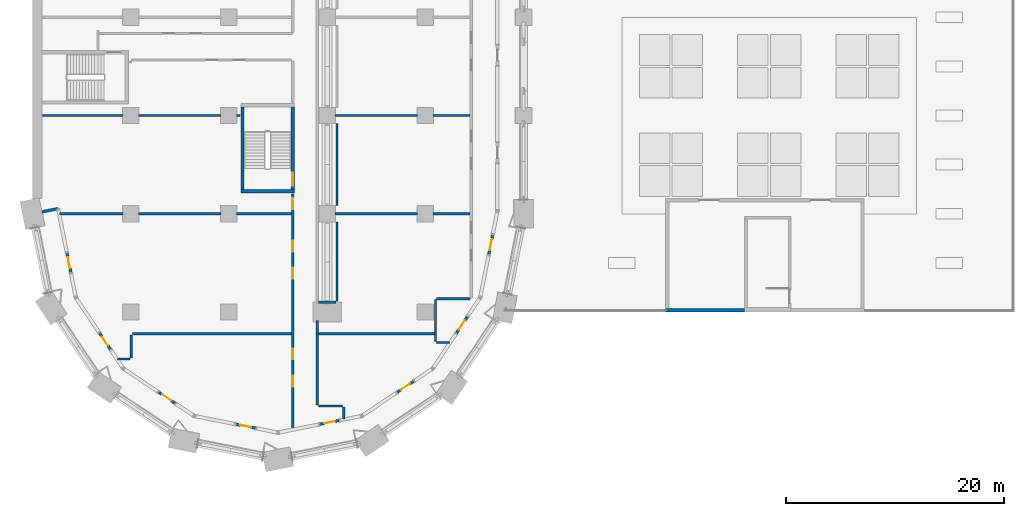
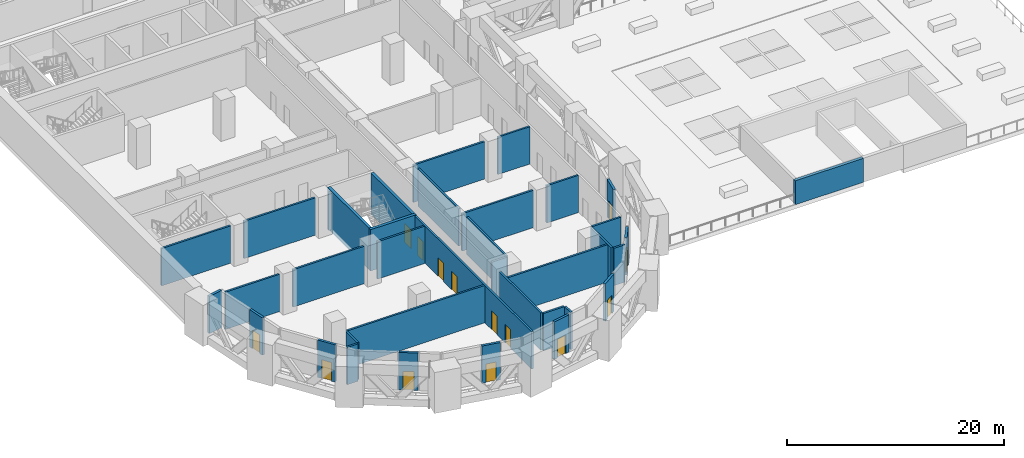
# One storey, part 10 of 31: 37 walls, 14 doors, 14 openings.
"""IFC4 building model written with IfcOpenShell, lengths in metres."""

from ifc_helpers import new_model, si_unit, direction, frame, frame_2d, origin, place, context, subcontext, project, spatial, rectangle, extrude, material, layer, layer_set, type_object, element, fill, save


model = new_model("IFC4")

# Units and contexts
model_context = context("Model", 3, precision=1e-05, world=origin(), true_north=direction((0.0, 1.0)))
body_context = subcontext(model_context, "Body", "Model", "MODEL_VIEW")
ifc_project = project(units=[si_unit("LENGTHUNIT", "METRE"), si_unit("AREAUNIT", "SQUARE_METRE"), si_unit("VOLUMEUNIT", "CUBIC_METRE"), si_unit("PLANEANGLEUNIT", "RADIAN"), si_unit("MASSUNIT", "GRAM", prefix="KILO")], contexts=[model_context])

# Site, building, storey
site_placement = place(None, origin())
site = spatial("IfcSite", under=ifc_project, at=site_placement, CompositionType="ELEMENT")
building_placement = place(site_placement, origin())
building = spatial("IfcBuilding", under=site, at=building_placement, Name="Hunhe Ridgeline Campus", CompositionType="ELEMENT")
storey_placement = place(building_placement, frame((0.0, 0.0, 31.199951171875)))
storey = spatial("IfcBuildingStorey", under=building, at=storey_placement, Name="L06", CompositionType="ELEMENT", Elevation=31.199951171875)

# Walls
ifc_material_1 = material(Name="Concrete C30", Category="concrete")
ifc_layer_1 = layer(ifc_material_1, 0.25)
ifc_layer_set_1 = layer_set([ifc_layer_1], Name="Corner return wall 250 Concrete C30")
wall_type_1 = type_object("IfcWallType", Name="Corner return wall 250 Concrete C30", PredefinedType="SOLIDWALL", material=ifc_layer_set_1)
wall_1_placement = place(storey_placement, frame((0.882568359375, 27.17626953125, 0.0), z_axis=(0.0, 0.0, 1.0), x_axis=(0.980830121099, 0.194864757061, 0.0)))
element("IfcWall", 1, at=wall_1_placement, inside=storey, type_object=wall_type_1, Name="Corner return wall 1", PredefinedType="SOLIDWALL", context=body_context, shape_type="SweptSolid", body=[
    extrude(rectangle(XDim=1.5009765625, YDim=0.25, at=frame_2d((0.75048828125, 0.0))), origin(), (0.0, 0.0, 1.0), 4.199951171875),
])
ifc_material_2 = material(Name="Gypsum board partition")
ifc_layer_2 = layer(ifc_material_2, 0.199951171875)
ifc_layer_set_2 = layer_set([ifc_layer_2], Name="Corridor partition 200 gypsum board on steel studs")
wall_type_2 = type_object("IfcWallType", Name="Corridor partition 200 gypsum board on steel studs", PredefinedType="PARTITIONING", material=ifc_layer_set_2)
wall_2_placement = place(storey_placement, frame((26.199951171875, 9.386962890625, 0.0), z_axis=(0.0, 0.0, 1.0), x_axis=(1.0, 0.0, 0.0)))
element("IfcWall", 2, at=wall_2_placement, inside=storey, type_object=wall_type_2, Name="F-L06-wall-001", PredefinedType="PARTITIONING", context=body_context, shape_type="SweptSolid", body=[
    extrude(rectangle(XDim=2.219970703125, YDim=0.199951171875, at=frame_2d((1.10986328125, 0.0))), origin(), (0.0, 0.0, 1.0), 4.199951171875),
])
for number, where, z_axis, x_axis, name in (
    (3, (7.796875, 13.702880859375, 0.0), (0.0, 0.0, 1.0), (1.0, 0.0, 0.0), "F-L06-wall-002"),
    (4, (38.203125, 15.199951171875, 0.0), (0.0, 0.0, 1.0), (-1.0, 0.0, 0.0), "F-L06-wall-003"),
):
    element("IfcWall", number, at=place(storey_placement, frame(where, z_axis=z_axis, x_axis=x_axis)), inside=storey, type_object=wall_type_2, Name=name, PredefinedType="PARTITIONING", context=body_context, shape_type="SweptSolid", body=[
        extrude(rectangle(XDim=1.1650390625, YDim=0.199951171875, at=frame_2d((0.58251953125, 0.0))), origin(), (0.0, 0.0, 1.0), 4.199951171875),
    ])
wall_3_placement = place(storey_placement, frame((9.162109375, 15.9990234375, 0.0), z_axis=(0.0, 0.0, 1.0), x_axis=(1.0, 0.0, 0.0)))
element("IfcWall", 5, at=wall_3_placement, inside=storey, type_object=wall_type_2, Name="F-L06-wall-004", PredefinedType="PARTITIONING", context=body_context, shape_type="SweptSolid", body=[
    extrude(rectangle(XDim=14.587890625, YDim=0.199951171875, at=frame_2d((7.2939453125, 0.0))), origin(), (0.0, 0.0, 1.0), 4.199951171875),
])
wall_4_placement = place(storey_placement, frame((26.199951171875, 15.9990234375, 0.0), z_axis=(0.0, 0.0, 1.0), x_axis=(1.0, 0.0, 0.0)))
element("IfcWall", 6, at=wall_4_placement, inside=storey, type_object=wall_type_2, Name="F-L06-wall-005", PredefinedType="PARTITIONING", context=body_context, shape_type="SweptSolid", body=[
    extrude(rectangle(XDim=10.637939453125, YDim=0.199951171875, at=frame_2d((5.31884765625, 0.0))), origin(), (0.0, 0.0, 1.0), 4.199951171875),
])
wall_5_placement = place(storey_placement, frame((26.199951171875, 18.89990234375, 0.0), z_axis=(0.0, 0.0, 1.0), x_axis=(1.0, 0.0, 0.0)))
element("IfcWall", 7, at=wall_5_placement, inside=storey, type_object=wall_type_2, Name="F-L06-wall-006", PredefinedType="PARTITIONING", context=body_context, shape_type="SweptSolid", body=[
    extrude(rectangle(XDim=1.60009765625, YDim=0.199951171875, at=frame_2d((0.800048828125, 0.0))), origin(), (0.0, 0.0, 1.0), 4.199951171875),
])
wall_6_placement = place(storey_placement, frame((37.0380859375, 19.221923828125, 0.0), z_axis=(0.0, 0.0, 1.0), x_axis=(1.0, 0.0, 0.0)))
element("IfcWall", 8, at=wall_6_placement, inside=storey, type_object=wall_type_2, Name="F-L06-wall-007", PredefinedType="PARTITIONING", context=body_context, shape_type="SweptSolid", body=[
    extrude(rectangle(XDim=3.06201171875, YDim=0.199951171875, at=frame_2d((1.531005859375, 0.0))), origin(), (0.0, 0.0, 1.0), 4.199951171875),
])
wall_7_placement = place(storey_placement, frame((2.5029296875, 27.0, 0.0), z_axis=(0.0, 0.0, 1.0), x_axis=(1.0, 0.0, 0.0)))
element("IfcWall", 9, at=wall_7_placement, inside=storey, type_object=wall_type_2, Name="F-L06-wall-008", PredefinedType="PARTITIONING", context=body_context, shape_type="SweptSolid", body=[
    extrude(rectangle(XDim=5.797119140625, YDim=0.199951171875, at=frame_2d((2.8984375, 0.0))), origin(), (0.0, 0.0, 1.0), 4.199951171875),
])
wall_8_placement = place(storey_placement, frame((9.699951171875, 27.0, 0.0), z_axis=(0.0, 0.0, 1.0), x_axis=(1.0, 0.0, 0.0)))
element("IfcWall", 10, at=wall_8_placement, inside=storey, type_object=wall_type_2, Name="F-L06-wall-009", PredefinedType="PARTITIONING", context=body_context, shape_type="SweptSolid", body=[
    extrude(rectangle(XDim=7.60009765625, YDim=0.199951171875, at=frame_2d((3.800048828125, 0.0))), origin(), (0.0, 0.0, 1.0), 4.199951171875),
])
wall_9_placement = place(storey_placement, frame((18.699951171875, 27.0, 0.0), z_axis=(0.0, 0.0, 1.0), x_axis=(1.0, 0.0, 0.0)))
element("IfcWall", 11, at=wall_9_placement, inside=storey, type_object=wall_type_2, Name="F-L06-wall-010", PredefinedType="PARTITIONING", context=body_context, shape_type="SweptSolid", body=[
    extrude(rectangle(XDim=5.050048828125, YDim=0.199951171875, at=frame_2d((2.52490234375, 0.0))), origin(), (0.0, 0.0, 1.0), 4.199951171875),
])
wall_10_placement = place(storey_placement, frame((27.699951171875, 27.0, 0.0), z_axis=(0.0, 0.0, 1.0), x_axis=(1.0, 0.0, 0.0)))
element("IfcWall", 12, at=wall_10_placement, inside=storey, type_object=wall_type_2, Name="F-L06-wall-011", PredefinedType="PARTITIONING", context=body_context, shape_type="SweptSolid", body=[
    extrude(rectangle(XDim=7.60009765625, YDim=0.199951171875, at=frame_2d((3.800048828125, 0.0))), origin(), (0.0, 0.0, 1.0), 4.199951171875),
])
wall_11_placement = place(storey_placement, frame((36.699951171875, 27.0, 0.0), z_axis=(0.0, 0.0, 1.0), x_axis=(1.0, 0.0, 0.0)))
element("IfcWall", 13, at=wall_11_placement, inside=storey, type_object=wall_type_2, Name="F-L06-wall-012", PredefinedType="PARTITIONING", context=body_context, shape_type="SweptSolid", body=[
    extrude(rectangle(XDim=3.400146484375, YDim=0.199951171875, at=frame_2d((1.7001953125, 0.0))), origin(), (0.0, 0.0, 1.0), 4.199951171875),
])
wall_12_placement = place(storey_placement, frame((0.924072265625, 36.0, 0.0), z_axis=(0.0, 0.0, 1.0), x_axis=(1.0, 0.0, 0.0)))
element("IfcWall", 14, at=wall_12_placement, inside=storey, type_object=wall_type_2, Name="F-L06-wall-013", PredefinedType="PARTITIONING", context=body_context, shape_type="SweptSolid", body=[
    extrude(rectangle(XDim=7.3759765625, YDim=0.199951171875, at=frame_2d((3.68798828125, 0.0))), origin(), (0.0, 0.0, 1.0), 4.199951171875),
])
wall_13_placement = place(storey_placement, frame((9.699951171875, 36.0, 0.0), z_axis=(0.0, 0.0, 1.0), x_axis=(1.0, 0.0, 0.0)))
element("IfcWall", 15, at=wall_13_placement, inside=storey, type_object=wall_type_2, Name="F-L06-wall-014", PredefinedType="PARTITIONING", context=body_context, shape_type="SweptSolid", body=[
    extrude(rectangle(XDim=7.60009765625, YDim=0.199951171875, at=frame_2d((3.800048828125, 0.0))), origin(), (0.0, 0.0, 1.0), 4.199951171875),
])
wall_14_placement = place(storey_placement, frame((18.699951171875, 36.0, 0.0), z_axis=(0.0, 0.0, 1.0), x_axis=(1.0, 0.0, 0.0)))
element("IfcWall", 16, at=wall_14_placement, inside=storey, type_object=wall_type_2, Name="F-L06-wall-015", PredefinedType="PARTITIONING", context=body_context, shape_type="SweptSolid", body=[
    extrude(rectangle(XDim=0.296142578125, YDim=0.199951171875, at=frame_2d((0.14794921875, 0.0))), origin(), (0.0, 0.0, 1.0), 4.199951171875),
])
wall_15_placement = place(storey_placement, frame((27.699951171875, 36.0, 0.0), z_axis=(0.0, 0.0, 1.0), x_axis=(1.0, 0.0, 0.0)))
element("IfcWall", 17, at=wall_15_placement, inside=storey, type_object=wall_type_2, Name="F-L06-wall-016", PredefinedType="PARTITIONING", context=body_context, shape_type="SweptSolid", body=[
    extrude(rectangle(XDim=7.60009765625, YDim=0.199951171875, at=frame_2d((3.800048828125, 0.0))), origin(), (0.0, 0.0, 1.0), 4.199951171875),
])
wall_16_placement = place(storey_placement, frame((36.699951171875, 36.0, 0.0), z_axis=(0.0, 0.0, 1.0), x_axis=(1.0, 0.0, 0.0)))
element("IfcWall", 18, at=wall_16_placement, inside=storey, type_object=wall_type_2, Name="F-L06-wall-017", PredefinedType="PARTITIONING", context=body_context, shape_type="SweptSolid", body=[
    extrude(rectangle(XDim=3.400146484375, YDim=0.199951171875, at=frame_2d((1.7001953125, 0.0))), origin(), (0.0, 0.0, 1.0), 4.199951171875),
])
wall_17_placement = place(storey_placement, frame((9.06201171875, 15.89892578125, 0.0), z_axis=(0.0, 0.0, 1.0), x_axis=(0.0, -1.0, 0.0)))
element("IfcWall", 19, at=wall_17_placement, inside=storey, type_object=wall_type_2, Name="F-L06-wall-056", PredefinedType="PARTITIONING", context=body_context, shape_type="SweptSolid", body=[
    extrude(rectangle(XDim=2.095947265625, YDim=0.199951171875, at=frame_2d((1.0478515625, 0.0))), origin(), (0.0, 0.0, 1.0), 4.199951171875),
])

# Wall, openings, doors
wall_18_placement = place(storey_placement, frame((23.85009765625, 7.271728515625, 0.0), z_axis=(0.0, 0.0, 1.0), x_axis=(0.0, 1.0, 0.0)))
wall_18 = element("IfcWall", 20, at=wall_18_placement, inside=storey, type_object=wall_type_2, Name="F-L06-wall-057", PredefinedType="PARTITIONING", context=body_context, shape_type="SweptSolid", body=[
    extrude(rectangle(XDim=21.524169921875, YDim=0.199951171875, at=frame_2d((10.76220703125, 0.0))), origin(), (0.0, 0.0, 1.0), 4.199951171875),
])
opening_1_placement = place(wall_18_placement, frame((3.8798828125, 0.0, 0.0)))
opening_1 = element("IfcOpeningElement", 21, at=opening_1_placement, cuts=wall_18, Name="Opening RD1-001", PredefinedType="OPENING", context=body_context, shape_type="SweptSolid", body=[
    extrude(rectangle(XDim=1.0, YDim=2.10009765625, at=frame_2d((0.5, 1.050048828125))), frame((0.0, 0.10009765625, 0.0), z_axis=(0.0, -1.0, 0.0), x_axis=(1.0, 0.0, 0.0)), (0.0, 0.0, 1.0), 0.199951171875),
])
opening_2_placement = place(wall_18_placement, frame((6.3798828125, 0.0, 0.0)))
opening_2 = element("IfcOpeningElement", 22, at=opening_2_placement, cuts=wall_18, Name="Opening RD1-002", PredefinedType="OPENING", context=body_context, shape_type="SweptSolid", body=[
    extrude(rectangle(XDim=1.0, YDim=2.10009765625, at=frame_2d((0.5, 1.050048828125))), frame((0.0, 0.10009765625, 0.0), z_axis=(0.0, -1.0, 0.0), x_axis=(1.0, 0.0, 0.0)), (0.0, 0.0, 1.0), 0.199951171875),
])
opening_3_placement = place(wall_18_placement, frame((13.76611328125, 0.0, 0.0)))
opening_3 = element("IfcOpeningElement", 23, at=opening_3_placement, cuts=wall_18, Name="Opening RD1-003", PredefinedType="OPENING", context=body_context, shape_type="SweptSolid", body=[
    extrude(rectangle(XDim=1.0, YDim=2.10009765625, at=frame_2d((0.5, 1.050048828125))), frame((0.0, 0.10009765625, 0.0), z_axis=(0.0, -1.0, 0.0), x_axis=(1.0, 0.0, 0.0)), (0.0, 0.0, 1.0), 0.199951171875),
])
opening_4_placement = place(wall_18_placement, frame((16.26611328125, 0.0, 0.0)))
opening_4 = element("IfcOpeningElement", 24, at=opening_4_placement, cuts=wall_18, Name="Opening RD1-005", PredefinedType="OPENING", context=body_context, shape_type="SweptSolid", body=[
    extrude(rectangle(XDim=1.0, YDim=2.10009765625, at=frame_2d((0.5, 1.050048828125))), frame((0.0, 0.10009765625, 0.0), z_axis=(0.0, -1.0, 0.0), x_axis=(1.0, 0.0, 0.0)), (0.0, 0.0, 1.0), 0.199951171875),
])
opening_5_placement = place(wall_18_placement, frame((20.1484375, 0.0, 0.0)))
opening_5 = element("IfcOpeningElement", 25, at=opening_5_placement, cuts=wall_18, Name="Opening RD1-007", PredefinedType="OPENING", context=body_context, shape_type="SweptSolid", body=[
    extrude(rectangle(XDim=1.0, YDim=2.10009765625, at=frame_2d((0.5, 1.050048828125))), frame((0.0, 0.10009765625, 0.0), z_axis=(0.0, -1.0, 0.0), x_axis=(1.0, 0.0, 0.0)), (0.0, 0.0, 1.0), 0.199951171875),
])
ifc_material_3 = material(Name="Timber door leaf", Category="wood")
door_type_1 = type_object("IfcDoorType", Name="Single fire door 1000x2100 timber FD60", OperationType="NOTDEFINED", PredefinedType="DOOR", material=ifc_material_3)
door_1_placement = place(opening_1_placement, frame((1.0, 0.0, 0.0), z_axis=(0.0, 0.0, 1.0), x_axis=(-1.0, 0.0, 0.0)))
door_1 = element("IfcDoor", 26, at=door_1_placement, inside=storey, type_object=door_type_1, Name="F-L06-door-001", OperationType="SINGLE_SWING_LEFT", OverallHeight=2.10009765625, OverallWidth=1.0, PredefinedType="DOOR", context=body_context, shape_type="SweptSolid", body=[
    extrude(rectangle(XDim=1.0, YDim=2.10009765625, at=frame_2d((0.5, 1.050048828125))), frame((0.0, 0.02490234375, 0.0), z_axis=(0.0, -1.0, 0.0), x_axis=(1.0, 0.0, 0.0)), (0.0, 0.0, 1.0), 0.050048828125),
])
fill(opening_1, door_1)
door_2_placement = place(opening_2_placement, frame((1.0, 0.0, 0.0), z_axis=(0.0, 0.0, 1.0), x_axis=(-1.0, 0.0, 0.0)))
door_2 = element("IfcDoor", 27, at=door_2_placement, inside=storey, type_object=door_type_1, Name="F-L06-door-002", OperationType="SINGLE_SWING_LEFT", OverallHeight=2.10009765625, OverallWidth=1.0, PredefinedType="DOOR", context=body_context, shape_type="SweptSolid", body=[
    extrude(rectangle(XDim=1.0, YDim=2.10009765625, at=frame_2d((0.5, 1.050048828125))), frame((0.0, 0.02490234375, 0.0), z_axis=(0.0, -1.0, 0.0), x_axis=(1.0, 0.0, 0.0)), (0.0, 0.0, 1.0), 0.050048828125),
])
fill(opening_2, door_2)
door_3_placement = place(opening_3_placement, frame((1.0, 0.0, 0.0), z_axis=(0.0, 0.0, 1.0), x_axis=(-1.0, 0.0, 0.0)))
door_3 = element("IfcDoor", 28, at=door_3_placement, inside=storey, type_object=door_type_1, Name="F-L06-door-003", OperationType="SINGLE_SWING_LEFT", OverallHeight=2.10009765625, OverallWidth=1.0, PredefinedType="DOOR", context=body_context, shape_type="SweptSolid", body=[
    extrude(rectangle(XDim=1.0, YDim=2.10009765625, at=frame_2d((0.5, 1.050048828125))), frame((0.0, 0.02490234375, 0.0), z_axis=(0.0, -1.0, 0.0), x_axis=(1.0, 0.0, 0.0)), (0.0, 0.0, 1.0), 0.050048828125),
])
fill(opening_3, door_3)
door_4_placement = place(opening_4_placement, frame((1.0, 0.0, 0.0), z_axis=(0.0, 0.0, 1.0), x_axis=(-1.0, 0.0, 0.0)))
door_4 = element("IfcDoor", 29, at=door_4_placement, inside=storey, type_object=door_type_1, Name="F-L06-door-005", OperationType="SINGLE_SWING_LEFT", OverallHeight=2.10009765625, OverallWidth=1.0, PredefinedType="DOOR", context=body_context, shape_type="SweptSolid", body=[
    extrude(rectangle(XDim=1.0, YDim=2.10009765625, at=frame_2d((0.5, 1.050048828125))), frame((0.0, 0.02490234375, 0.0), z_axis=(0.0, -1.0, 0.0), x_axis=(1.0, 0.0, 0.0)), (0.0, 0.0, 1.0), 0.050048828125),
])
fill(opening_4, door_4)
door_5_placement = place(opening_5_placement, frame((1.0, 0.0, 0.0), z_axis=(0.0, 0.0, 1.0), x_axis=(-1.0, 0.0, 0.0)))
door_5 = element("IfcDoor", 30, at=door_5_placement, inside=storey, type_object=door_type_1, Name="F-L06-door-007", OperationType="SINGLE_SWING_LEFT", OverallHeight=2.10009765625, OverallWidth=1.0, PredefinedType="DOOR", context=body_context, shape_type="SweptSolid", body=[
    extrude(rectangle(XDim=1.0, YDim=2.10009765625, at=frame_2d((0.5, 1.050048828125))), frame((0.0, 0.02490234375, 0.0), z_axis=(0.0, -1.0, 0.0), x_axis=(1.0, 0.0, 0.0)), (0.0, 0.0, 1.0), 0.050048828125),
])
fill(opening_5, door_5)

# Walls
wall_19_placement = place(storey_placement, frame((26.10009765625, 17.199951171875, 0.0), z_axis=(0.0, 0.0, 1.0), x_axis=(0.0, -1.0, 0.0)))
element("IfcWall", 31, at=wall_19_placement, inside=storey, type_object=wall_type_2, Name="F-L06-wall-060", PredefinedType="PARTITIONING", context=body_context, shape_type="SweptSolid", body=[
    extrude(rectangle(XDim=7.712890625, YDim=0.199951171875, at=frame_2d((3.8564453125, 0.0))), origin(), (0.0, 0.0, 1.0), 4.199951171875),
])
wall_20_placement = place(storey_placement, frame((27.89990234375, 26.25, 0.0), z_axis=(0.0, 0.0, 1.0), x_axis=(0.0, -1.0, 0.0)))
element("IfcWall", 32, at=wall_20_placement, inside=storey, type_object=wall_type_2, Name="F-L06-wall-062", PredefinedType="PARTITIONING", context=body_context, shape_type="SweptSolid", body=[
    extrude(rectangle(XDim=7.25, YDim=0.199951171875, at=frame_2d((3.625, 0.0))), origin(), (0.0, 0.0, 1.0), 4.199951171875),
])
wall_21_placement = place(storey_placement, frame((27.89990234375, 35.25, 0.0), z_axis=(0.0, 0.0, 1.0), x_axis=(0.0, -1.0, 0.0)))
element("IfcWall", 33, at=wall_21_placement, inside=storey, type_object=wall_type_2, Name="F-L06-wall-063", PredefinedType="PARTITIONING", context=body_context, shape_type="SweptSolid", body=[
    extrude(rectangle(XDim=7.5, YDim=0.199951171875, at=frame_2d((3.75, 0.0))), origin(), (0.0, 0.0, 1.0), 4.199951171875),
])
wall_22_placement = place(storey_placement, frame((28.52001953125, 9.287109375, 0.0), z_axis=(0.0, 0.0, 1.0), x_axis=(0.0, -1.0, 0.0)))
element("IfcWall", 34, at=wall_22_placement, inside=storey, type_object=wall_type_2, Name="F-L06-wall-067", PredefinedType="PARTITIONING", context=body_context, shape_type="SweptSolid", body=[
    extrude(rectangle(XDim=1.086669921875, YDim=0.199951171875, at=frame_2d((0.54345703125, 0.0))), origin(), (0.0, 0.0, 1.0), 4.199951171875),
])
wall_23_placement = place(storey_placement, frame((36.93798828125, 15.300048828125, 0.0), z_axis=(0.0, 0.0, 1.0), x_axis=(0.0, 1.0, 0.0)))
element("IfcWall", 35, at=wall_23_placement, inside=storey, type_object=wall_type_2, Name="F-L06-wall-068", PredefinedType="PARTITIONING", context=body_context, shape_type="SweptSolid", body=[
    extrude(rectangle(XDim=3.822021484375, YDim=0.199951171875, at=frame_2d((1.9111328125, 0.0))), origin(), (0.0, 0.0, 1.0), 4.199951171875),
])

# Wall, opening, door
ifc_layer_3 = layer(ifc_material_1, 0.25)
ifc_layer_set_3 = layer_set([ifc_layer_3], Name="Loggia door pier wall 250 Concrete C30")
wall_type_3 = type_object("IfcWallType", Name="Loggia door pier wall 250 Concrete C30", PredefinedType="SOLIDWALL", material=ifc_layer_set_3)
wall_24_placement = place(storey_placement, frame((3.16455078125, 23.3974609375, 0.0), z_axis=(0.0, 0.0, 1.0), x_axis=(0.19517704197, -0.980768026746, 0.0)))
wall_24 = element("IfcWall", 36, at=wall_24_placement, inside=storey, type_object=wall_type_3, Name="Loggia door pier 1", PredefinedType="SOLIDWALL", context=body_context, shape_type="SweptSolid", body=[
    extrude(rectangle(XDim=1.800048828125, YDim=0.25, at=frame_2d((0.89990234375, 0.0))), origin(), (0.0, 0.0, 1.0), 4.199951171875),
])
opening_6_placement = place(wall_24_placement, frame((0.39990234375, 0.0, 0.0)))
opening_6 = element("IfcOpeningElement", 37, at=opening_6_placement, cuts=wall_24, Name="Opening BR101", PredefinedType="OPENING", context=body_context, shape_type="SweptSolid", body=[
    extrude(rectangle(XDim=1.0, YDim=2.10009765625, at=frame_2d((0.5, 1.050048828125))), frame((0.0, 0.125, 0.0), z_axis=(0.0, -1.0, 0.0), x_axis=(1.0, 0.0, 0.0)), (0.0, 0.0, 1.0), 0.25),
])
ifc_material_4 = material(Name="Aluminium 6063", Category="aluminium")
door_type_2 = type_object("IfcDoorType", Name="Loggia glazed door 1000x2100", OperationType="NOTDEFINED", PredefinedType="DOOR", material=ifc_material_4)
door_6_placement = place(opening_6_placement, frame((1.0, 0.0, 0.0), z_axis=(0.0, 0.0, 1.0), x_axis=(-1.0, 0.0, 0.0)))
door_6 = element("IfcDoor", 38, at=door_6_placement, inside=storey, type_object=door_type_2, Name="Loggia door BR101", OperationType="SINGLE_SWING_RIGHT", OverallHeight=2.10009765625, OverallWidth=1.0, PredefinedType="DOOR", context=body_context, shape_type="SweptSolid", body=[
    extrude(rectangle(XDim=1.0, YDim=2.10009765625, at=frame_2d((0.5, 1.050048828125))), frame((0.0, 0.02490234375, 0.0), z_axis=(0.0, -1.0, 0.0), x_axis=(1.0, 0.0, 0.0)), (0.0, 0.0, 1.0), 0.050048828125),
])
fill(opening_6, door_6)

wall_25_placement = place(storey_placement, frame((6.147705078125, 16.07373046875, 0.0), z_axis=(0.0, 0.0, 1.0), x_axis=(0.555576323502, -0.83146554274, 0.0)))
wall_25 = element("IfcWall", 39, at=wall_25_placement, inside=storey, type_object=wall_type_3, Name="Loggia door pier 2", PredefinedType="SOLIDWALL", context=body_context, shape_type="SweptSolid", body=[
    extrude(rectangle(XDim=1.800048828125, YDim=0.25, at=frame_2d((0.89990234375, 0.0))), origin(), (0.0, 0.0, 1.0), 4.199951171875),
])
opening_7_placement = place(wall_25_placement, frame((0.39990234375, 0.0, 0.0)))
opening_7 = element("IfcOpeningElement", 40, at=opening_7_placement, cuts=wall_25, Name="Opening BR102", PredefinedType="OPENING", context=body_context, shape_type="SweptSolid", body=[
    extrude(rectangle(XDim=1.0, YDim=2.10009765625, at=frame_2d((0.5, 1.050048828125))), frame((0.0, 0.125, 0.0), z_axis=(0.0, -1.0, 0.0), x_axis=(1.0, 0.0, 0.0)), (0.0, 0.0, 1.0), 0.25),
])
door_7_placement = place(opening_7_placement, frame((1.0, 0.0, 0.0), z_axis=(0.0, 0.0, 1.0), x_axis=(-1.0, 0.0, 0.0)))
door_7 = element("IfcDoor", 41, at=door_7_placement, inside=storey, type_object=door_type_2, Name="Loggia door BR102", OperationType="SINGLE_SWING_LEFT", OverallHeight=2.10009765625, OverallWidth=1.0, PredefinedType="DOOR", context=body_context, shape_type="SweptSolid", body=[
    extrude(rectangle(XDim=1.0, YDim=2.10009765625, at=frame_2d((0.5, 1.050048828125))), frame((0.0, 0.02490234375, 0.0), z_axis=(0.0, -1.0, 0.0), x_axis=(1.0, 0.0, 0.0)), (0.0, 0.0, 1.0), 0.050048828125),
])
fill(opening_7, door_7)

wall_26_placement = place(storey_placement, frame((11.57373046875, 10.647705078125, 0.0), z_axis=(0.0, 0.0, 1.0), x_axis=(0.83146554274, -0.555576323502, 0.0)))
wall_26 = element("IfcWall", 42, at=wall_26_placement, inside=storey, type_object=wall_type_3, Name="Loggia door pier 3", PredefinedType="SOLIDWALL", context=body_context, shape_type="SweptSolid", body=[
    extrude(rectangle(XDim=1.800048828125, YDim=0.25, at=frame_2d((0.89990234375, 0.0))), origin(), (0.0, 0.0, 1.0), 4.199951171875),
])
opening_8_placement = place(wall_26_placement, frame((0.39990234375, 0.0, 0.0)))
opening_8 = element("IfcOpeningElement", 43, at=opening_8_placement, cuts=wall_26, Name="Opening BR103", PredefinedType="OPENING", context=body_context, shape_type="SweptSolid", body=[
    extrude(rectangle(XDim=1.0, YDim=2.10009765625, at=frame_2d((0.5, 1.050048828125))), frame((0.0, 0.125, 0.0), z_axis=(0.0, -1.0, 0.0), x_axis=(1.0, 0.0, 0.0)), (0.0, 0.0, 1.0), 0.25),
])
door_8_placement = place(opening_8_placement, frame((1.0, 0.0, 0.0), z_axis=(0.0, 0.0, 1.0), x_axis=(-1.0, 0.0, 0.0)))
door_8 = element("IfcDoor", 44, at=door_8_placement, inside=storey, type_object=door_type_2, Name="Loggia door BR103", OperationType="SINGLE_SWING_RIGHT", OverallHeight=2.10009765625, OverallWidth=1.0, PredefinedType="DOOR", context=body_context, shape_type="SweptSolid", body=[
    extrude(rectangle(XDim=1.0, YDim=2.10009765625, at=frame_2d((0.5, 1.050048828125))), frame((0.0, 0.02490234375, 0.0), z_axis=(0.0, -1.0, 0.0), x_axis=(1.0, 0.0, 0.0)), (0.0, 0.0, 1.0), 0.050048828125),
])
fill(opening_8, door_8)

wall_27_placement = place(storey_placement, frame((18.663330078125, 7.711181640625, 0.0), z_axis=(0.0, 0.0, 1.0), x_axis=(0.980793982239, -0.195046569833, 0.0)))
wall_27 = element("IfcWall", 45, at=wall_27_placement, inside=storey, type_object=wall_type_3, Name="Loggia door pier 4", PredefinedType="SOLIDWALL", context=body_context, shape_type="SweptSolid", body=[
    extrude(rectangle(XDim=1.800048828125, YDim=0.25, at=frame_2d((0.89990234375, 0.0))), origin(), (0.0, 0.0, 1.0), 4.199951171875),
])
opening_9_placement = place(wall_27_placement, frame((0.39990234375, 0.0, 0.0)))
opening_9 = element("IfcOpeningElement", 46, at=opening_9_placement, cuts=wall_27, Name="Opening BR104", PredefinedType="OPENING", context=body_context, shape_type="SweptSolid", body=[
    extrude(rectangle(XDim=1.0, YDim=2.10009765625, at=frame_2d((0.5, 1.050048828125))), frame((0.0, 0.125, 0.0), z_axis=(0.0, -1.0, 0.0), x_axis=(1.0, 0.0, 0.0)), (0.0, 0.0, 1.0), 0.25),
])
door_9_placement = place(opening_9_placement, frame((1.0, 0.0, 0.0), z_axis=(0.0, 0.0, 1.0), x_axis=(-1.0, 0.0, 0.0)))
door_9 = element("IfcDoor", 47, at=door_9_placement, inside=storey, type_object=door_type_2, Name="Loggia door BR104", OperationType="SINGLE_SWING_LEFT", OverallHeight=2.10009765625, OverallWidth=1.0, PredefinedType="DOOR", context=body_context, shape_type="SweptSolid", body=[
    extrude(rectangle(XDim=1.0, YDim=2.10009765625, at=frame_2d((0.5, 1.050048828125))), frame((0.0, 0.02490234375, 0.0), z_axis=(0.0, -1.0, 0.0), x_axis=(1.0, 0.0, 0.0)), (0.0, 0.0, 1.0), 0.050048828125),
])
fill(opening_9, door_9)

wall_28_placement = place(storey_placement, frame((26.336669921875, 7.711181640625, 0.0), z_axis=(0.0, 0.0, 1.0), x_axis=(0.98077319256, 0.195151081871, 0.0)))
wall_28 = element("IfcWall", 48, at=wall_28_placement, inside=storey, type_object=wall_type_3, Name="Loggia door pier 5", PredefinedType="SOLIDWALL", context=body_context, shape_type="SweptSolid", body=[
    extrude(rectangle(XDim=1.80029296875, YDim=0.25, at=frame_2d((0.900146484375, 0.0))), origin(), (0.0, 0.0, 1.0), 4.199951171875),
])
opening_10_placement = place(wall_28_placement, frame((0.39990234375, 0.0, 0.0)))
opening_10 = element("IfcOpeningElement", 49, at=opening_10_placement, cuts=wall_28, Name="Opening BR105", PredefinedType="OPENING", context=body_context, shape_type="SweptSolid", body=[
    extrude(rectangle(XDim=1.0, YDim=2.10009765625, at=frame_2d((0.5, 1.050048828125))), frame((0.0, 0.125, 0.0), z_axis=(0.0, -1.0, 0.0), x_axis=(1.0, 0.0, 0.0)), (0.0, 0.0, 1.0), 0.25),
])
door_10_placement = place(opening_10_placement, frame((1.0, 0.0, 0.0), z_axis=(0.0, 0.0, 1.0), x_axis=(-1.0, 0.0, 0.0)))
door_10 = element("IfcDoor", 50, at=door_10_placement, inside=storey, type_object=door_type_2, Name="Loggia door BR105", OperationType="SINGLE_SWING_RIGHT", OverallHeight=2.10009765625, OverallWidth=1.0, PredefinedType="DOOR", context=body_context, shape_type="SweptSolid", body=[
    extrude(rectangle(XDim=1.0, YDim=2.10009765625, at=frame_2d((0.5, 1.050048828125))), frame((0.0, 0.02490234375, 0.0), z_axis=(0.0, -1.0, 0.0), x_axis=(1.0, 0.0, 0.0)), (0.0, 0.0, 1.0), 0.050048828125),
])
fill(opening_10, door_10)

wall_29_placement = place(storey_placement, frame((33.42626953125, 10.647705078125, 0.0), z_axis=(0.0, 0.0, 1.0), x_axis=(0.83146554274, 0.555576323502, 0.0)))
wall_29 = element("IfcWall", 51, at=wall_29_placement, inside=storey, type_object=wall_type_3, Name="Loggia door pier 6", PredefinedType="SOLIDWALL", context=body_context, shape_type="SweptSolid", body=[
    extrude(rectangle(XDim=1.800048828125, YDim=0.25, at=frame_2d((0.89990234375, 0.0))), origin(), (0.0, 0.0, 1.0), 4.199951171875),
])
opening_11_placement = place(wall_29_placement, frame((0.39990234375, 0.0, 0.0)))
opening_11 = element("IfcOpeningElement", 52, at=opening_11_placement, cuts=wall_29, Name="Opening BR106", PredefinedType="OPENING", context=body_context, shape_type="SweptSolid", body=[
    extrude(rectangle(XDim=1.0, YDim=2.10009765625, at=frame_2d((0.5, 1.050048828125))), frame((0.0, 0.125, 0.0), z_axis=(0.0, -1.0, 0.0), x_axis=(1.0, 0.0, 0.0)), (0.0, 0.0, 1.0), 0.25),
])
door_11_placement = place(opening_11_placement, frame((1.0, 0.0, 0.0), z_axis=(0.0, 0.0, 1.0), x_axis=(-1.0, 0.0, 0.0)))
door_11 = element("IfcDoor", 53, at=door_11_placement, inside=storey, type_object=door_type_2, Name="Loggia door BR106", OperationType="SINGLE_SWING_LEFT", OverallHeight=2.10009765625, OverallWidth=1.0, PredefinedType="DOOR", context=body_context, shape_type="SweptSolid", body=[
    extrude(rectangle(XDim=1.0, YDim=2.10009765625, at=frame_2d((0.5, 1.050048828125))), frame((0.0, 0.02490234375, 0.0), z_axis=(0.0, -1.0, 0.0), x_axis=(1.0, 0.0, 0.0)), (0.0, 0.0, 1.0), 0.050048828125),
])
fill(opening_11, door_11)

wall_30_placement = place(storey_placement, frame((38.852294921875, 16.07373046875, 0.0), z_axis=(0.0, 0.0, 1.0), x_axis=(0.555576323502, 0.83146554274, 0.0)))
wall_30 = element("IfcWall", 54, at=wall_30_placement, inside=storey, type_object=wall_type_3, Name="Loggia door pier 7", PredefinedType="SOLIDWALL", context=body_context, shape_type="SweptSolid", body=[
    extrude(rectangle(XDim=1.800048828125, YDim=0.25, at=frame_2d((0.89990234375, 0.0))), origin(), (0.0, 0.0, 1.0), 4.199951171875),
])
opening_12_placement = place(wall_30_placement, frame((0.39990234375, 0.0, 0.0)))
opening_12 = element("IfcOpeningElement", 55, at=opening_12_placement, cuts=wall_30, Name="Opening BR107", PredefinedType="OPENING", context=body_context, shape_type="SweptSolid", body=[
    extrude(rectangle(XDim=1.0, YDim=2.10009765625, at=frame_2d((0.5, 1.050048828125))), frame((0.0, 0.125, 0.0), z_axis=(0.0, -1.0, 0.0), x_axis=(1.0, 0.0, 0.0)), (0.0, 0.0, 1.0), 0.25),
])
door_12_placement = place(opening_12_placement, frame((1.0, 0.0, 0.0), z_axis=(0.0, 0.0, 1.0), x_axis=(-1.0, 0.0, 0.0)))
door_12 = element("IfcDoor", 56, at=door_12_placement, inside=storey, type_object=door_type_2, Name="Loggia door BR107", OperationType="SINGLE_SWING_RIGHT", OverallHeight=2.10009765625, OverallWidth=1.0, PredefinedType="DOOR", context=body_context, shape_type="SweptSolid", body=[
    extrude(rectangle(XDim=1.0, YDim=2.10009765625, at=frame_2d((0.5, 1.050048828125))), frame((0.0, 0.02490234375, 0.0), z_axis=(0.0, -1.0, 0.0), x_axis=(1.0, 0.0, 0.0)), (0.0, 0.0, 1.0), 0.050048828125),
])
fill(opening_12, door_12)

wall_31_placement = place(storey_placement, frame((41.812255859375, 23.281494140625, 0.0), z_axis=(0.0, 0.0, 1.0), x_axis=(0.19517704197, 0.980768026746, 0.0)))
wall_31 = element("IfcWall", 57, at=wall_31_placement, inside=storey, type_object=wall_type_3, Name="Loggia door pier 8", PredefinedType="SOLIDWALL", context=body_context, shape_type="SweptSolid", body=[
    extrude(rectangle(XDim=1.800048828125, YDim=0.25, at=frame_2d((0.89990234375, 0.0))), origin(), (0.0, 0.0, 1.0), 4.199951171875),
])
opening_13_placement = place(wall_31_placement, frame((0.39990234375, 0.0, 0.0)))
opening_13 = element("IfcOpeningElement", 58, at=opening_13_placement, cuts=wall_31, Name="Opening BR108", PredefinedType="OPENING", context=body_context, shape_type="SweptSolid", body=[
    extrude(rectangle(XDim=1.0, YDim=2.10009765625, at=frame_2d((0.5, 1.050048828125))), frame((0.0, 0.125, 0.0), z_axis=(0.0, -1.0, 0.0), x_axis=(1.0, 0.0, 0.0)), (0.0, 0.0, 1.0), 0.25),
])
door_13_placement = place(opening_13_placement, frame((1.0, 0.0, 0.0), z_axis=(0.0, 0.0, 1.0), x_axis=(-1.0, 0.0, 0.0)))
door_13 = element("IfcDoor", 59, at=door_13_placement, inside=storey, type_object=door_type_2, Name="Loggia door BR108", OperationType="SINGLE_SWING_LEFT", OverallHeight=2.10009765625, OverallWidth=1.0, PredefinedType="DOOR", context=body_context, shape_type="SweptSolid", body=[
    extrude(rectangle(XDim=1.0, YDim=2.10009765625, at=frame_2d((0.5, 1.050048828125))), frame((0.0, 0.02490234375, 0.0), z_axis=(0.0, -1.0, 0.0), x_axis=(1.0, 0.0, 0.0)), (0.0, 0.0, 1.0), 0.050048828125),
])
fill(opening_13, door_13)

# Walls
ifc_material_5 = material(Name="Concrete C40", Category="concrete")
ifc_layer_4 = layer(ifc_material_5, 0.300048828125)
ifc_layer_set_4 = layer_set([ifc_layer_4], Name="Roof pavilion wall 300 C40")
wall_type_4 = type_object("IfcWallType", Name="Roof pavilion wall 300 C40", PredefinedType="SOLIDWALL", material=ifc_layer_set_4)
wall_32_placement = place(storey_placement, frame((58.0, 18.14990234375, 0.0), z_axis=(0.0, 0.0, 1.0), x_axis=(1.0, 0.0, 0.0)))
element("IfcWall", 60, at=wall_32_placement, inside=storey, type_object=wall_type_4, Name="Roof pavilion wall", PredefinedType="SOLIDWALL", context=body_context, shape_type="SweptSolid", body=[
    extrude(rectangle(XDim=7.25, YDim=0.300048828125, at=frame_2d((3.625, 0.0))), origin(), (0.0, 0.0, 1.0), 2.699951171875),
])
ifc_material_6 = material(Name="Concrete C80", Category="concrete")
ifc_layer_5 = layer(ifc_material_6, 0.300048828125)
ifc_layer_set_5 = layer_set([ifc_layer_5], Name="Stair wall 300 reinforced concrete C80")
wall_type_5 = type_object("IfcWallType", Name="Stair wall 300 reinforced concrete C80", PredefinedType="SOLIDWALL", material=ifc_layer_set_5)
wall_33_placement = place(storey_placement, frame((19.10009765625, 29.050048828125, -0.449951171875), z_axis=(0.0, 0.0, 1.0), x_axis=(1.0, 0.0, 0.0)))
element("IfcWall", 61, at=wall_33_placement, inside=storey, type_object=wall_type_5, Name="L06 core wall 1", PredefinedType="SOLIDWALL", context=body_context, shape_type="SweptSolid", body=[
    extrude(rectangle(XDim=4.89990234375, YDim=0.300048828125, at=frame_2d((2.449951171875, 0.0))), origin(), (0.0, 0.0, 1.0), 4.64990234375),
])
wall_34_placement = place(storey_placement, frame((19.25, 29.199951171875, -0.449951171875), z_axis=(0.0, 0.0, 1.0), x_axis=(0.0, 1.0, 0.0)))
element("IfcWall", 62, at=wall_34_placement, inside=storey, type_object=wall_type_5, Name="L06 core wall 50", PredefinedType="SOLIDWALL", context=body_context, shape_type="SweptSolid", body=[
    extrude(rectangle(XDim=7.60009765625, YDim=0.300048828125, at=frame_2d((3.800048828125, 0.0))), origin(), (0.0, 0.0, 1.0), 4.64990234375),
])

# Wall, opening, door
wall_35_placement = place(storey_placement, frame((23.85009765625, 29.199951171875, -0.449951171875), z_axis=(0.0, 0.0, 1.0), x_axis=(0.0, 1.0, 0.0)))
wall_35 = element("IfcWall", 63, at=wall_35_placement, inside=storey, type_object=wall_type_5, Name="L06 core wall 55", PredefinedType="SOLIDWALL", context=body_context, shape_type="SweptSolid", body=[
    extrude(rectangle(XDim=7.60009765625, YDim=0.300048828125, at=frame_2d((3.800048828125, 0.0))), origin(), (0.0, 0.0, 1.0), 4.64990234375),
])
opening_14_placement = place(wall_35_placement, frame((0.375, 0.0, 0.449951171875)))
opening_14 = element("IfcOpeningElement", 64, at=opening_14_placement, cuts=wall_35, Name="Opening CD23", PredefinedType="OPENING", context=body_context, shape_type="SweptSolid", body=[
    extrude(rectangle(XDim=1.199951171875, YDim=2.10009765625, at=frame_2d((0.60009765625, 1.050048828125))), frame((0.0, 0.14990234375, 0.0), z_axis=(0.0, -1.0, 0.0), x_axis=(1.0, 0.0, 0.0)), (0.0, 0.0, 1.0), 0.300048828125),
])
ifc_material_7 = material(Name="Hollow metal fire door leaf")
door_type_3 = type_object("IfcDoorType", Name="Stair door 1200x2100 FD60", OperationType="SINGLE_SWING_LEFT", PredefinedType="DOOR", material=ifc_material_7)
door_14_placement = place(opening_14_placement, frame((1.199951171875, 0.0, 0.0), z_axis=(0.0, 0.0, 1.0), x_axis=(-1.0, 0.0, 0.0)))
door_14 = element("IfcDoor", 65, at=door_14_placement, inside=storey, type_object=door_type_3, Name="L06 door W3", OperationType="SINGLE_SWING_RIGHT", OverallHeight=2.10009765625, OverallWidth=1.199951171875, PredefinedType="DOOR", context=body_context, shape_type="SweptSolid", body=[
    extrude(rectangle(XDim=1.199951171875, YDim=2.10009765625, at=frame_2d((0.60009765625, 1.050048828125))), frame((0.0, 0.02490234375, 0.0), z_axis=(0.0, -1.0, 0.0), x_axis=(1.0, 0.0, 0.0)), (0.0, 0.0, 1.0), 0.050048828125),
])
fill(opening_14, door_14)

save(model, "model.ifc")
